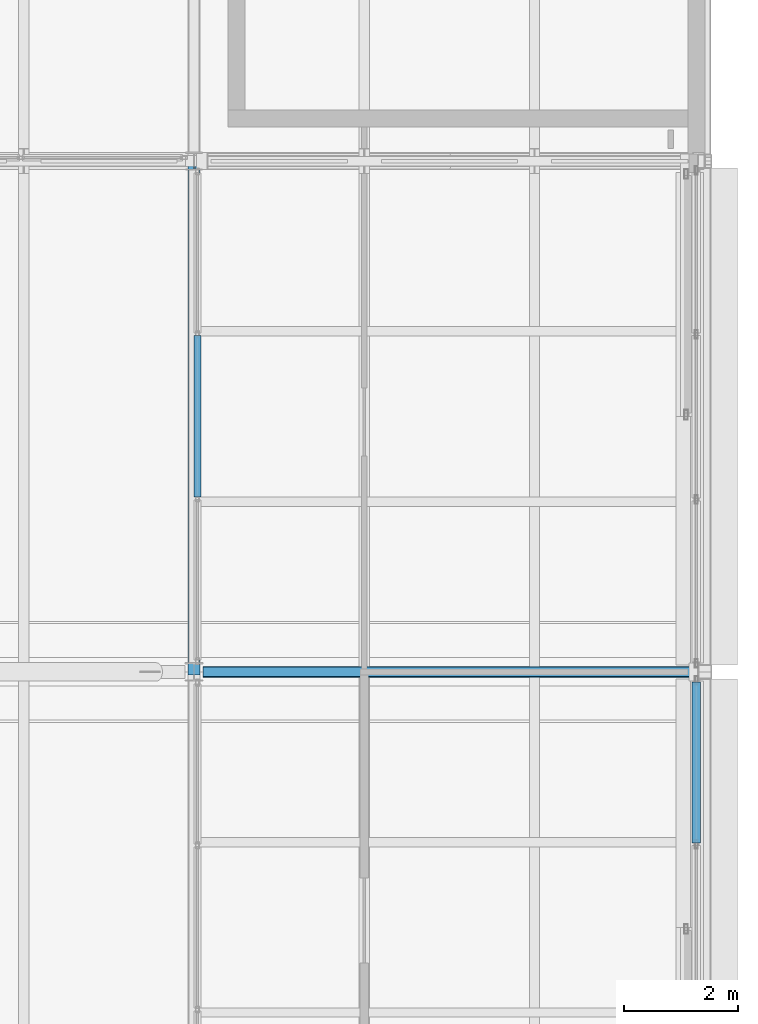
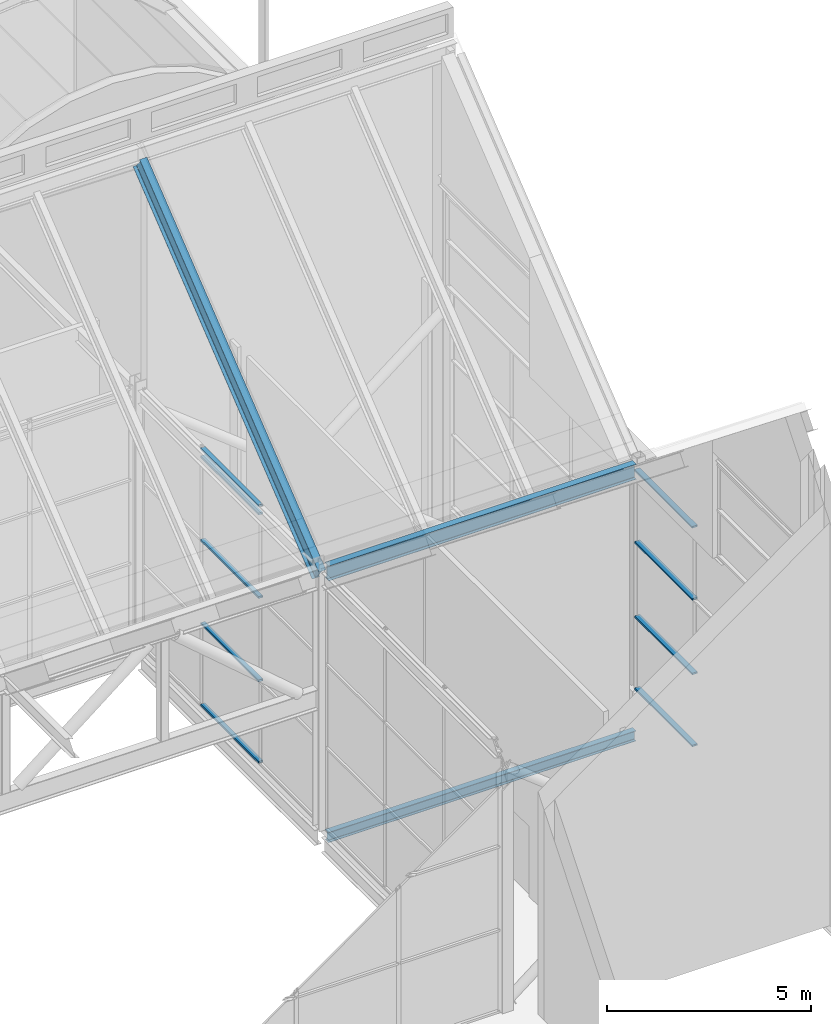
# One storey, part 82 of 144: 10 members, 2 beams, 2 elements without a shape of their own.
"""IFC4 building model written with IfcOpenShell, lengths in metres."""

from ifc_helpers import new_model, si_unit, direction, frame, origin, origin_2d, place, context, subcontext, project, spatial, hollow_rectangle, i_section, extrude, material, layer, layer_set, material_profile, profile_set, type_object, element, aggregate, save


model = new_model("IFC4")

# Units and contexts
model_context = context("Model", 3, precision=1e-05, world=origin(), true_north=direction((0.0, 1.0)))
body_context = subcontext(model_context, "Body", "Model", "MODEL_VIEW")
ifc_project = project(units=[si_unit("LENGTHUNIT", "METRE"), si_unit("AREAUNIT", "SQUARE_METRE"), si_unit("VOLUMEUNIT", "CUBIC_METRE"), si_unit("PLANEANGLEUNIT", "RADIAN"), si_unit("MASSUNIT", "GRAM", prefix="KILO")], contexts=[model_context])

# Site, building, storey
site_placement = place(None, origin())
site = spatial("IfcSite", under=ifc_project, at=site_placement, CompositionType="ELEMENT")
building_placement = place(site_placement, origin())
building = spatial("IfcBuilding", under=site, at=building_placement, Name="Shorebreak Coast Museum", CompositionType="ELEMENT")
storey_placement = place(building_placement, frame((0.0, 0.0, 36.0)))
storey = spatial("IfcBuildingStorey", under=building, at=storey_placement, Name="L06", CompositionType="ELEMENT", Elevation=36.0)

# Beam
ifc_material_1 = material(Name="Steel Grade 300", Category="steel")
ifc_material_profile_1 = material_profile(ifc_material_1, i_section(OverallWidth=0.166015625, OverallDepth=0.30712890625, WebThickness=0.006591796875, FlangeThickness=0.01171875, FilletRadius=0.011474609375, at=origin_2d()), Name="310UB46.2")
ifc_profile_set_1 = profile_set([ifc_material_profile_1], Name="Steel Grade 300")
beam_type_1 = type_object("IfcBeamType", Name="Floor girder east-west 310UB46.2", PredefinedType="BEAM", material=ifc_profile_set_1)
beam_1_placement = place(storey_placement, frame((108.155517578125, 72.0, -0.32861328125), z_axis=(1.0, 0.0, 0.0), x_axis=(0.0, 1.0, 0.0)))
element("IfcBeam", 1, at=beam_1_placement, inside=storey, type_object=beam_type_1, Name="Floor girder east-west L06 13J", PredefinedType="BEAM", context=body_context, shape_type="SweptSolid", body=[
    extrude(i_section(OverallWidth=0.166015625, OverallDepth=0.30712890625, WebThickness=0.006591796875, FlangeThickness=0.01171875, FilletRadius=0.011474609375, at=origin_2d()), origin(), (0.0, 0.0, 1.0), 8.719482421875),
])

# Member
ifc_material_2 = material(Name="Steel Grade 300", Category="steel")
ifc_material_profile_2 = material_profile(ifc_material_2, i_section(OverallWidth=0.208984375, OverallDepth=0.5283203125, WebThickness=0.009521484375, FlangeThickness=0.01318359375, FilletRadius=0.013916015625, at=origin_2d()), Name="530UB82.0")
ifc_profile_set_2 = profile_set([ifc_material_profile_2], Name="Steel Grade 300")
member_type_1 = type_object("IfcMemberType", Name="Fold rib rafter 530UB82.0", PredefinedType="RAFTER", material=ifc_profile_set_2)
member_1_placement = place(storey_placement, frame((108.0, 80.905029296875, 14.52978515625), z_axis=(0.0, -0.780866693621, -0.624697692322), x_axis=(1.0, 0.0, 0.0)))
element("IfcMember", 2, at=member_1_placement, inside=storey, type_object=member_type_1, Name="Fold rib rafter FOLD-X line 3 19", PredefinedType="RAFTER", context=body_context, shape_type="SweptSolid", body=[
    extrude(i_section(OverallWidth=0.208984375, OverallDepth=0.5283203125, WebThickness=0.009521484375, FlangeThickness=0.01318359375, FilletRadius=0.013916015625, at=origin_2d()), origin(), (0.0, 0.0, 1.0), 11.25732421875),
])

# Beam
ifc_material_3 = material(Name="Steel Grade 300", Category="steel")
ifc_material_profile_3 = material_profile(ifc_material_3, i_section(OverallWidth=0.18994140625, OverallDepth=0.453857421875, WebThickness=0.008544921875, FlangeThickness=0.0126953125, FilletRadius=0.011474609375, at=origin_2d()), Name="460UB67.1")
ifc_profile_set_3 = profile_set([ifc_material_profile_3], Name="Steel Grade 300")
beam_type_2 = type_object("IfcBeamType", Name="Fold valley girder 460UB67.1", PredefinedType="BEAM", material=ifc_profile_set_3)
beam_2_placement = place(storey_placement, frame((108.155517578125, 72.0, 7.593017578125), z_axis=(1.0, 0.0, 0.0), x_axis=(0.0, 1.0, 0.0)))
element("IfcBeam", 3, at=beam_2_placement, inside=storey, type_object=beam_type_2, Name="Fold valley girder FOLD-X line J bay 13J", PredefinedType="BEAM", context=body_context, shape_type="SweptSolid", body=[
    extrude(i_section(OverallWidth=0.18994140625, OverallDepth=0.453857421875, WebThickness=0.008544921875, FlangeThickness=0.0126953125, FilletRadius=0.011474609375, at=origin_2d()), origin(), (0.0, 0.0, 1.0), 8.719482421875),
])

# Curtain wall, members
ifc_material_4 = material(Name="Aluminium", Category="aluminium")
ifc_layer_1 = layer(ifc_material_4, 0.1201171875)
ifc_layer_set_1 = layer_set([ifc_layer_1], Name="Aluminium")
curtain_wall_type_1 = type_object("IfcCurtainWallType", Name="Atrium fire screen", PredefinedType="NOTDEFINED", material=ifc_layer_set_1)
curtain_wall_1_placement = place(storey_placement, origin())
curtain_wall_1 = element("IfcCurtainWall", 4, at=curtain_wall_1_placement, inside=storey, type_object=curtain_wall_type_1, Name="Atrium screen L06 E 92", PredefinedType="NOTDEFINED")
ifc_material_5 = material(Name="Aluminium", Category="aluminium")
ifc_material_profile_4 = material_profile(ifc_material_5, hollow_rectangle(XDim=0.1201171875, YDim=0.06005859375, WallThickness=0.00341796875, at=origin_2d()), Name="AL 60x120 RHS")
ifc_profile_set_4 = profile_set([ifc_material_profile_4], Name="Aluminium")
member_type_2 = type_object("IfcMemberType", Name="Screen transom 120 x 50", PredefinedType="USERDEFINED", material=ifc_profile_set_4)
member_2_placement = place(storey_placement, frame((108.06005859375, 75.08154296875, 0.06005859375), z_axis=(0.0, 1.0, 0.0), x_axis=(-1.0, 0.0, 0.0)))
member_2 = element("IfcMember", 5, at=member_2_placement, type_object=member_type_2, Name="CW6 transom 2.1", ObjectType="TRANSOM", PredefinedType="USERDEFINED", context=body_context, shape_type="SweptSolid", body=[
    extrude(hollow_rectangle(XDim=0.1201171875, YDim=0.06005859375, WallThickness=0.00341796875, at=origin_2d()), origin(), (0.0, 0.0, 1.0), 2.843017578125),
])
member_3_placement = place(storey_placement, frame((108.06005859375, 75.08154296875, 2.5), z_axis=(0.0, 1.0, 0.0), x_axis=(-1.0, 0.0, 0.0)))
member_3 = element("IfcMember", 6, at=member_3_placement, type_object=member_type_2, Name="CW6 transom 2.2", ObjectType="TRANSOM", PredefinedType="USERDEFINED", context=body_context, shape_type="SweptSolid", body=[
    extrude(hollow_rectangle(XDim=0.1201171875, YDim=0.06005859375, WallThickness=0.00341796875, at=origin_2d()), origin(), (0.0, 0.0, 1.0), 2.843017578125),
])
member_4_placement = place(storey_placement, frame((108.06005859375, 75.08154296875, 5.0), z_axis=(0.0, 1.0, 0.0), x_axis=(-1.0, 0.0, 0.0)))
member_4 = element("IfcMember", 7, at=member_4_placement, type_object=member_type_2, Name="CW6 transom 2.3", ObjectType="TRANSOM", PredefinedType="USERDEFINED", context=body_context, shape_type="SweptSolid", body=[
    extrude(hollow_rectangle(XDim=0.1201171875, YDim=0.06005859375, WallThickness=0.00341796875, at=origin_2d()), origin(), (0.0, 0.0, 1.0), 2.843017578125),
])
member_5_placement = place(storey_placement, frame((108.06005859375, 75.08154296875, 7.5), z_axis=(0.0, 1.0, 0.0), x_axis=(-1.0, 0.0, 0.0)))
member_5 = element("IfcMember", 8, at=member_5_placement, type_object=member_type_2, Name="CW6 transom 2.4", ObjectType="TRANSOM", PredefinedType="USERDEFINED", context=body_context, shape_type="SweptSolid", body=[
    extrude(hollow_rectangle(XDim=0.1201171875, YDim=0.06005859375, WallThickness=0.00341796875, at=origin_2d()), origin(), (0.0, 0.0, 1.0), 2.843017578125),
])
member_6_placement = place(storey_placement, frame((108.06005859375, 75.08154296875, 7.739990234375), z_axis=(0.0, 1.0, 0.0), x_axis=(-1.0, 0.0, 0.0)))
member_6 = element("IfcMember", 9, at=member_6_placement, type_object=member_type_2, Name="CW6 transom 2.5", ObjectType="TRANSOM", PredefinedType="USERDEFINED", context=body_context, shape_type="SweptSolid", body=[
    extrude(hollow_rectangle(XDim=0.1201171875, YDim=0.06005859375, WallThickness=0.00341796875, at=origin_2d()), origin(), (0.0, 0.0, 1.0), 2.843017578125),
])
aggregate(curtain_wall_1, [member_2, member_3, member_4, member_5, member_6])

ifc_material_6 = material(Name="Aluminium", Category="aluminium")
ifc_layer_2 = layer(ifc_material_6, 0.14990234375)
ifc_layer_set_2 = layer_set([ifc_layer_2], Name="Aluminium")
curtain_wall_type_2 = type_object("IfcCurtainWallType", Name="Storefront curtain wall", PredefinedType="NOTDEFINED", material=ifc_layer_set_2)
curtain_wall_2_placement = place(storey_placement, origin())
curtain_wall_2 = element("IfcCurtainWall", 10, at=curtain_wall_2_placement, inside=storey, type_object=curtain_wall_type_2, Name="Atrium Hall glazing L06 E 20", PredefinedType="NOTDEFINED")
ifc_material_7 = material(Name="Aluminium", Category="aluminium")
ifc_material_profile_5 = material_profile(ifc_material_7, hollow_rectangle(XDim=0.14990234375, YDim=0.050048828125, WallThickness=0.00390625, at=origin_2d()), Name="AL 50x150 RHS")
ifc_profile_set_5 = profile_set([ifc_material_profile_5], Name="Aluminium")
member_type_3 = type_object("IfcMemberType", Name="Storefront transom 150 x 50", PredefinedType="USERDEFINED", material=ifc_profile_set_5)
member_7_placement = place(storey_placement, frame((116.85009765625, 68.988037109375, 1.175048828125), z_axis=(0.0, 1.0, 0.0), x_axis=(-1.0, 0.0, 0.0)))
member_7 = element("IfcMember", 11, at=member_7_placement, type_object=member_type_3, Name="CW5 transom 3.1", ObjectType="TRANSOM", PredefinedType="USERDEFINED", context=body_context, shape_type="SweptSolid", body=[
    extrude(hollow_rectangle(XDim=0.14990234375, YDim=0.050048828125, WallThickness=0.00390625, at=origin_2d()), origin(), (0.0, 0.0, 1.0), 2.8369140625),
])
member_8_placement = place(storey_placement, frame((116.85009765625, 68.988037109375, 3.333251953125), z_axis=(0.0, 1.0, 0.0), x_axis=(-1.0, 0.0, 0.0)))
member_8 = element("IfcMember", 12, at=member_8_placement, type_object=member_type_3, Name="CW5 transom 3.2", ObjectType="TRANSOM", PredefinedType="USERDEFINED", context=body_context, shape_type="SweptSolid", body=[
    extrude(hollow_rectangle(XDim=0.14990234375, YDim=0.050048828125, WallThickness=0.00390625, at=origin_2d()), origin(), (0.0, 0.0, 1.0), 2.8369140625),
])
member_9_placement = place(storey_placement, frame((116.85009765625, 68.988037109375, 5.566650390625), z_axis=(0.0, 1.0, 0.0), x_axis=(-1.0, 0.0, 0.0)))
member_9 = element("IfcMember", 13, at=member_9_placement, type_object=member_type_3, Name="CW5 transom 3.3", ObjectType="TRANSOM", PredefinedType="USERDEFINED", context=body_context, shape_type="SweptSolid", body=[
    extrude(hollow_rectangle(XDim=0.14990234375, YDim=0.050048828125, WallThickness=0.00390625, at=origin_2d()), origin(), (0.0, 0.0, 1.0), 2.8369140625),
])
member_10_placement = place(storey_placement, frame((116.85009765625, 68.988037109375, 7.72509765625), z_axis=(0.0, 1.0, 0.0), x_axis=(-1.0, 0.0, 0.0)))
member_10 = element("IfcMember", 14, at=member_10_placement, type_object=member_type_3, Name="CW5 transom 3.4", ObjectType="TRANSOM", PredefinedType="USERDEFINED", context=body_context, shape_type="SweptSolid", body=[
    extrude(hollow_rectangle(XDim=0.14990234375, YDim=0.050048828125, WallThickness=0.00390625, at=origin_2d()), origin(), (0.0, 0.0, 1.0), 2.8369140625),
])
aggregate(curtain_wall_2, [member_7, member_8, member_9, member_10])

save(model, "model.ifc")
